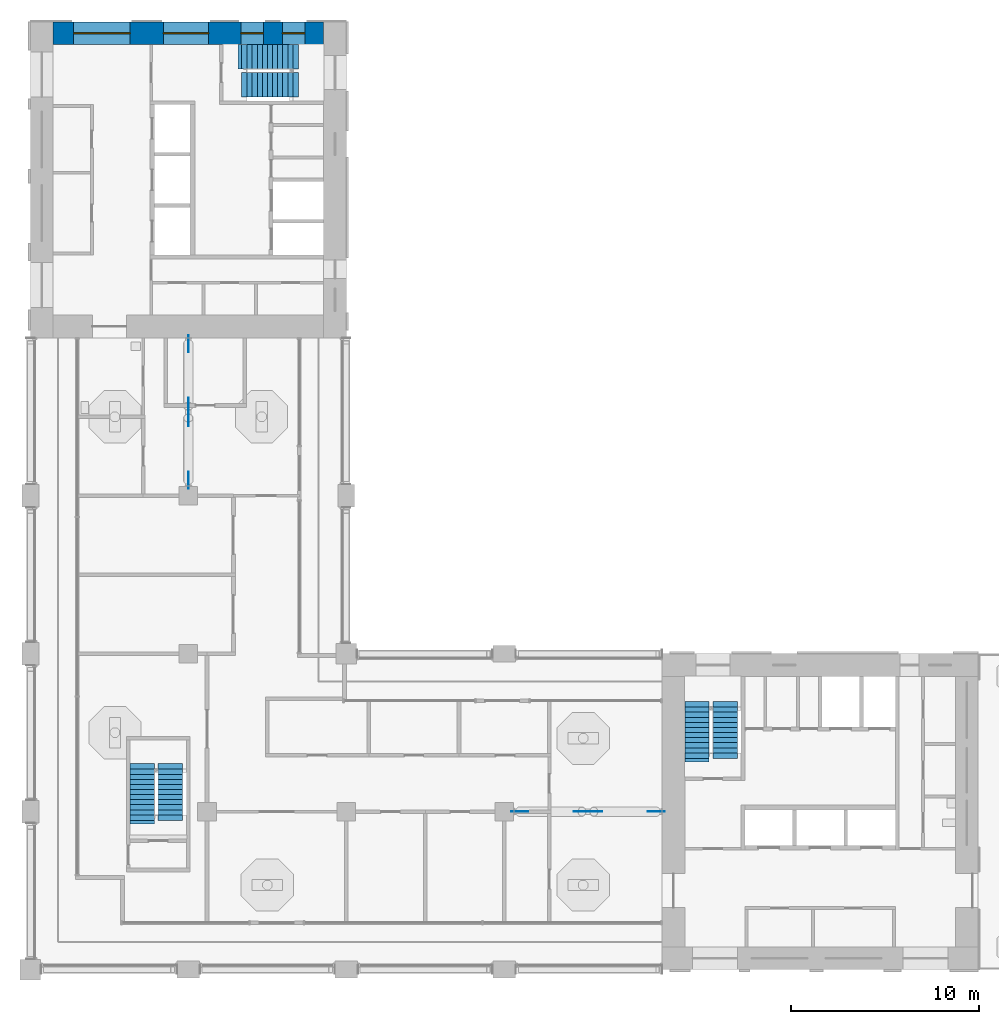
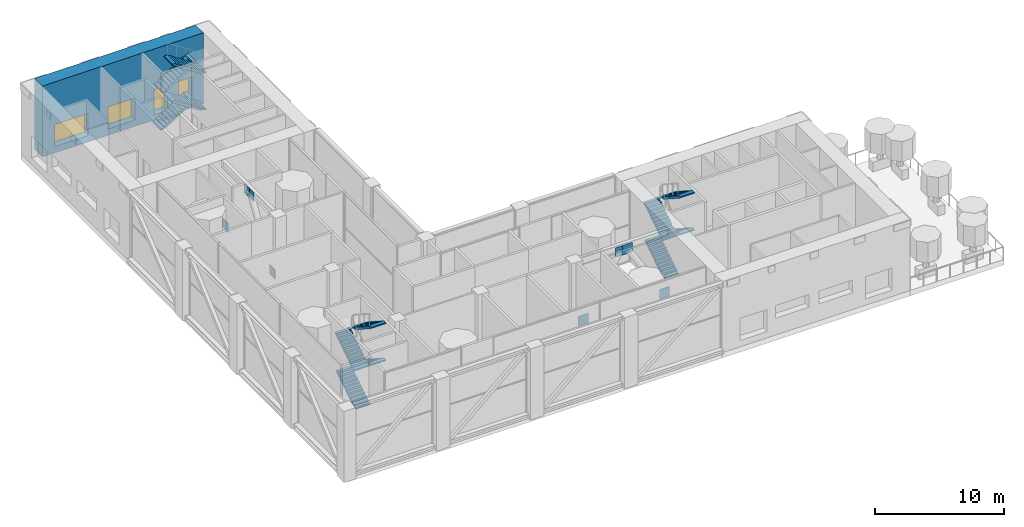
# One storey, part 11 of 20: 12 stair flights, 8 discrete accessories, 4 windows, 1 wall, 4 openings, 3 elements without a shape of their own.
"""IFC4 building model written with IfcOpenShell, lengths in metres."""

from ifc_helpers import new_model, si_unit, direction, frame, frame_2d, origin, origin_2d, place, context, subcontext, project, spatial, polyline, rectangle, outline, extrude, material, layer, layer_set, type_object, element, fill, aggregate, save


model = new_model("IFC4")

# Units and contexts
model_context = context("Model", 3, precision=1e-05, world=origin(), true_north=direction((0.0, 1.0)))
body_context = subcontext(model_context, "Body", "Model", "MODEL_VIEW")
ifc_project = project(units=[si_unit("LENGTHUNIT", "METRE"), si_unit("AREAUNIT", "SQUARE_METRE"), si_unit("VOLUMEUNIT", "CUBIC_METRE"), si_unit("PLANEANGLEUNIT", "RADIAN"), si_unit("MASSUNIT", "GRAM", prefix="KILO")], contexts=[model_context])

# Site, building, storey
site_placement = place(None, origin())
site = spatial("IfcSite", under=ifc_project, at=site_placement, CompositionType="ELEMENT")
building_placement = place(site_placement, origin())
building = spatial("IfcBuilding", under=site, at=building_placement, Name="Vermilion Gate Residences", CompositionType="ELEMENT")
storey_placement = place(building_placement, frame((0.0, 0.0, 207.199951171875)))
storey = spatial("IfcBuildingStorey", under=building, at=storey_placement, Name="L54", CompositionType="ELEMENT", Elevation=207.199951171875)

# Wall, openings, windows
ifc_material_1 = material(Name="Concrete C60 red-oxide pigmented", Category="concrete")
ifc_layer = layer(ifc_material_1, 1.199951171875)
ifc_layer_set = layer_set([ifc_layer], Name="RC CORE WALL 1200 C60 RED OXIDE")
wall_type = type_object("IfcWallType", Name="RC CORE WALL 1200 C60 RED OXIDE", PredefinedType="SHEAR", material=ifc_layer_set)
wall_placement = place(storey_placement, frame((9.60009765625, 58.199951171875, 0.0), z_axis=(0.0, 0.0, 1.0), x_axis=(1.0, 0.0, 0.0)))
wall = element("IfcWall", 1, at=wall_placement, inside=storey, type_object=wall_type, Name="Core wall B54-OUT-FR", PredefinedType="SHEAR", context=body_context, shape_type="SweptSolid", body=[
    extrude(rectangle(XDim=14.39990234375, YDim=1.199951171875, at=frame_2d((7.199951171875, 0.0))), origin(), (0.0, 0.0, 1.0), 6.719970703125),
])
opening_1_placement = place(wall_placement, frame((1.10498046875, 0.0, 0.60009765625)))
opening_1 = element("IfcOpeningElement", 2, at=opening_1_placement, cuts=wall, Name="Opening WKB5409", PredefinedType="OPENING", context=body_context, shape_type="SweptSolid", body=[
    extrude(rectangle(XDim=3.0, YDim=2.10009765625, at=frame_2d((1.5, 1.050048828125))), frame((0.0, 0.60986328125, 0.0), z_axis=(0.0, -1.0, 0.0), x_axis=(1.0, 0.0, 0.0)), (0.0, 0.0, 1.0), 1.219970703125),
])
opening_2_placement = place(wall_placement, frame((5.875, 0.0, 0.60009765625)))
opening_2 = element("IfcOpeningElement", 3, at=opening_2_placement, cuts=wall, Name="Opening WKB5410", PredefinedType="OPENING", context=body_context, shape_type="SweptSolid", body=[
    extrude(rectangle(XDim=2.39990234375, YDim=2.10009765625, at=frame_2d((1.199951171875, 1.050048828125))), frame((0.0, 0.60986328125, 0.0), z_axis=(0.0, -1.0, 0.0), x_axis=(1.0, 0.0, 0.0)), (0.0, 0.0, 1.0), 1.219970703125),
])
opening_3_placement = place(wall_placement, frame((9.993408203125, 0.0, 0.5)))
opening_3 = element("IfcOpeningElement", 4, at=opening_3_placement, cuts=wall, Name="Opening WKB5411", PredefinedType="OPENING", context=body_context, shape_type="SweptSolid", body=[
    extrude(rectangle(XDim=1.199951171875, YDim=2.39990234375, at=frame_2d((0.60009765625, 1.199951171875))), frame((0.0, 0.60986328125, 0.0), z_axis=(0.0, -1.0, 0.0), x_axis=(1.0, 0.0, 0.0)), (0.0, 0.0, 1.0), 1.219970703125),
])
opening_4_placement = place(wall_placement, frame((12.19677734375, 0.0, 0.5)))
opening_4 = element("IfcOpeningElement", 5, at=opening_4_placement, cuts=wall, Name="Opening WKB5412", PredefinedType="OPENING", context=body_context, shape_type="SweptSolid", body=[
    extrude(rectangle(XDim=1.199951171875, YDim=2.39990234375, at=frame_2d((0.60009765625, 1.199951171875))), frame((0.0, 0.60986328125, 0.0), z_axis=(0.0, -1.0, 0.0), x_axis=(1.0, 0.0, 0.0)), (0.0, 0.0, 1.0), 1.219970703125),
])
ifc_material_2 = material(Name="Aluminium and clear glass", Category="aluminium")
window_type_1 = type_object("IfcWindowType", Name="CORE LOBBY WINDOW 2400 X 2100", PartitioningType="SINGLE_PANEL", PredefinedType="WINDOW", material=ifc_material_2)
window_1_placement = place(opening_2_placement, origin())
window_1 = element("IfcWindow", 6, at=window_1_placement, inside=storey, type_object=window_type_1, Name="Core lobby window", OverallHeight=2.10009765625, OverallWidth=2.39990234375, PartitioningType="SINGLE_PANEL", PredefinedType="WINDOW", context=body_context, shape_type="SweptSolid", body=[
    extrude(rectangle(XDim=2.39990234375, YDim=2.10009765625, at=frame_2d((1.199951171875, 1.050048828125))), frame((0.0, 0.030029296875, 0.0), z_axis=(0.0, -1.0, 0.0), x_axis=(1.0, 0.0, 0.0)), (0.0, 0.0, 1.0), 0.06005859375),
])
fill(opening_2, window_1)
ifc_material_3 = material(Name="Aluminium and clear glass", Category="aluminium")
window_type_2 = type_object("IfcWindowType", Name="CORE LOBBY WINDOW 3000 X 2100", PartitioningType="SINGLE_PANEL", PredefinedType="WINDOW", material=ifc_material_3)
window_2_placement = place(opening_1_placement, origin())
window_2 = element("IfcWindow", 7, at=window_2_placement, inside=storey, type_object=window_type_2, Name="Core lobby window", OverallHeight=2.10009765625, OverallWidth=3.0, PartitioningType="SINGLE_PANEL", PredefinedType="WINDOW", context=body_context, shape_type="SweptSolid", body=[
    extrude(rectangle(XDim=3.0, YDim=2.10009765625, at=frame_2d((1.5, 1.050048828125))), frame((0.0, 0.030029296875, 0.0), z_axis=(0.0, -1.0, 0.0), x_axis=(1.0, 0.0, 0.0)), (0.0, 0.0, 1.0), 0.06005859375),
])
fill(opening_1, window_2)
ifc_material_4 = material(Name="Aluminium and clear glass", Category="aluminium")
window_type_3 = type_object("IfcWindowType", Name="CORE STAIR WINDOW 1200 X 2400", PartitioningType="SINGLE_PANEL", PredefinedType="WINDOW", material=ifc_material_4)
window_3_placement = place(opening_3_placement, origin())
window_3 = element("IfcWindow", 8, at=window_3_placement, inside=storey, type_object=window_type_3, Name="Core stair window", OverallHeight=2.39990234375, OverallWidth=1.199951171875, PartitioningType="SINGLE_PANEL", PredefinedType="WINDOW", context=body_context, shape_type="SweptSolid", body=[
    extrude(rectangle(XDim=1.199951171875, YDim=2.39990234375, at=frame_2d((0.60009765625, 1.199951171875))), frame((0.0, 0.030029296875, 0.0), z_axis=(0.0, -1.0, 0.0), x_axis=(1.0, 0.0, 0.0)), (0.0, 0.0, 1.0), 0.06005859375),
])
fill(opening_3, window_3)
window_4_placement = place(opening_4_placement, origin())
window_4 = element("IfcWindow", 9, at=window_4_placement, inside=storey, type_object=window_type_3, Name="Core stair window", OverallHeight=2.39990234375, OverallWidth=1.199951171875, PartitioningType="SINGLE_PANEL", PredefinedType="WINDOW", context=body_context, shape_type="SweptSolid", body=[
    extrude(rectangle(XDim=1.199951171875, YDim=2.39990234375, at=frame_2d((0.60009765625, 1.199951171875))), frame((0.0, 0.030029296875, 0.0), z_axis=(0.0, -1.0, 0.0), x_axis=(1.0, 0.0, 0.0)), (0.0, 0.0, 1.0), 0.06005859375),
])
fill(opening_4, window_4)

# Stair, stair flights
ifc_material_5 = material(Name="Concrete C50", Category="concrete")
stair_type = type_object("IfcStairType", Name="SPECIAL ESCAPE STAIR 1300", PredefinedType="HALF_TURN_STAIR", material=ifc_material_5)
stair_1_placement = place(storey_placement, origin())
stair_1 = element("IfcStair", 10, at=stair_1_placement, inside=storey, type_object=stair_type, Name="Special escape stair STA1-54", PredefinedType="HALF_TURN_STAIR")
ifc_material_6 = material(Name="Concrete C50", Category="concrete")
stair_flight_type = type_object("IfcStairFlightType", Name="STAIR FLIGHT 1300 RC C50", PredefinedType="STRAIGHT", material=ifc_material_6)
stair_flight_1_placement = place(storey_placement, frame((43.85009765625, 19.75, 0.0), z_axis=(0.0, 0.0, 1.0), x_axis=(0.0, 1.0, 0.0)))
stair_flight_1 = element("IfcStairFlight", 11, at=stair_flight_1_placement, type_object=stair_flight_type, Name="STA1-54 flight 1", NumberOfRisers=10, NumberOfTreads=9, PredefinedType="STRAIGHT", RiserHeight=0.175, TreadLength=0.27, context=body_context, shape_type="SweptSolid", body=[
    extrude(outline(polyline([(-0.300048828125, -0.14990234375), (-0.300048828125, -0.030029296875), (0.0, 0.0), (0.0, 0.175048828125), (0.27001953125, 0.175048828125), (0.27001953125, 0.35009765625), (0.5400390625, 0.35009765625), (0.5400390625, 0.52490234375), (0.81005859375, 0.52490234375), (0.81005859375, 0.699951171875), (1.080078125, 0.699951171875), (1.080078125, 0.875), (1.35009765625, 0.875), (1.35009765625, 1.050048828125), (1.6201171875, 1.050048828125), (1.6201171875, 1.22509765625), (1.889892578125, 1.22509765625), (1.889892578125, 1.39990234375), (2.159912109375, 1.39990234375), (2.159912109375, 1.574951171875), (2.429931640625, 1.574951171875), (2.429931640625, 1.75), (2.72998046875, 1.719970703125), (2.72998046875, 1.60009765625), (2.429931640625, 1.396484375), (0.275634765625, 0.0), (-0.300048828125, -0.14990234375)])), frame((0.0, 0.64990234375, 0.0), z_axis=(0.0, -1.0, 0.0), x_axis=(1.0, 0.0, 0.0)), (0.0, 0.0, 1.0), 1.300048828125),
])
stair_flight_2_placement = place(storey_placement, frame((45.35009765625, 22.360107421875, 1.75), z_axis=(0.0, 0.0, 1.0), x_axis=(0.0, -1.0, 0.0)))
stair_flight_2 = element("IfcStairFlight", 12, at=stair_flight_2_placement, type_object=stair_flight_type, Name="STA1-54 flight 2", NumberOfRisers=10, NumberOfTreads=9, PredefinedType="STRAIGHT", RiserHeight=0.175, TreadLength=0.27, context=body_context, shape_type="SweptSolid", body=[
    extrude(outline(polyline([(-0.300048828125, -0.14990234375), (-0.300048828125, -0.030029296875), (0.0, 0.0), (0.0, 0.175048828125), (0.27001953125, 0.175048828125), (0.27001953125, 0.35009765625), (0.5400390625, 0.35009765625), (0.5400390625, 0.52490234375), (0.81005859375, 0.52490234375), (0.81005859375, 0.699951171875), (1.080078125, 0.699951171875), (1.080078125, 0.875), (1.35009765625, 0.875), (1.35009765625, 1.050048828125), (1.6201171875, 1.050048828125), (1.6201171875, 1.22509765625), (1.889892578125, 1.22509765625), (1.889892578125, 1.39990234375), (2.159912109375, 1.39990234375), (2.159912109375, 1.574951171875), (2.429931640625, 1.574951171875), (2.429931640625, 1.75), (2.72998046875, 1.719970703125), (2.72998046875, 1.60009765625), (2.429931640625, 1.396484375), (0.275634765625, 0.0), (-0.300048828125, -0.14990234375)])), frame((0.0, 0.64990234375, 0.0), z_axis=(0.0, -1.0, 0.0), x_axis=(1.0, 0.0, 0.0)), (0.0, 0.0, 1.0), 1.300048828125),
])
stair_flight_3_placement = place(storey_placement, frame((43.85009765625, 19.929931640625, 3.5), z_axis=(0.0, 0.0, 1.0), x_axis=(0.0, 1.0, 0.0)))
stair_flight_3 = element("IfcStairFlight", 13, at=stair_flight_3_placement, type_object=stair_flight_type, Name="STA1-54 flight 3", NumberOfRisers=10, NumberOfTreads=9, PredefinedType="STRAIGHT", RiserHeight=0.175, TreadLength=0.27, context=body_context, shape_type="SweptSolid", body=[
    extrude(outline(polyline([(-0.300048828125, -0.14990234375), (-0.300048828125, -0.030029296875), (0.0, 0.0), (0.0, 0.175048828125), (0.27001953125, 0.175048828125), (0.27001953125, 0.35009765625), (0.5400390625, 0.35009765625), (0.5400390625, 0.52490234375), (0.81005859375, 0.52490234375), (0.81005859375, 0.699951171875), (1.080078125, 0.699951171875), (1.080078125, 0.875), (1.35009765625, 0.875), (1.35009765625, 1.050048828125), (1.6201171875, 1.050048828125), (1.6201171875, 1.22509765625), (1.889892578125, 1.22509765625), (1.889892578125, 1.39990234375), (2.159912109375, 1.39990234375), (2.159912109375, 1.574951171875), (2.429931640625, 1.574951171875), (2.429931640625, 1.75), (2.72998046875, 1.719970703125), (2.72998046875, 1.60009765625), (2.429931640625, 1.396484375), (0.275634765625, 0.0), (-0.300048828125, -0.14990234375)])), frame((0.0, 0.64990234375, 0.0), z_axis=(0.0, -1.0, 0.0), x_axis=(1.0, 0.0, 0.0)), (0.0, 0.0, 1.0), 1.300048828125),
])
stair_flight_4_placement = place(storey_placement, frame((45.35009765625, 22.360107421875, 5.25), z_axis=(0.0, 0.0, 1.0), x_axis=(0.0, -1.0, 0.0)))
stair_flight_4 = element("IfcStairFlight", 14, at=stair_flight_4_placement, type_object=stair_flight_type, Name="STA1-54 flight 4", NumberOfRisers=10, NumberOfTreads=9, PredefinedType="STRAIGHT", RiserHeight=0.175, TreadLength=0.27, context=body_context, shape_type="SweptSolid", body=[
    extrude(outline(polyline([(-0.300048828125, -0.14990234375), (-0.300048828125, -0.030029296875), (0.0, 0.0), (0.0, 0.175048828125), (0.27001953125, 0.175048828125), (0.27001953125, 0.35009765625), (0.5400390625, 0.35009765625), (0.5400390625, 0.52490234375), (0.81005859375, 0.52490234375), (0.81005859375, 0.699951171875), (1.080078125, 0.699951171875), (1.080078125, 0.875), (1.35009765625, 0.875), (1.35009765625, 1.050048828125), (1.6201171875, 1.050048828125), (1.6201171875, 1.22509765625), (1.889892578125, 1.22509765625), (1.889892578125, 1.39990234375), (2.159912109375, 1.39990234375), (2.159912109375, 1.574951171875), (2.429931640625, 1.574951171875), (2.429931640625, 1.75), (2.72998046875, 1.719970703125), (2.72998046875, 1.60009765625), (2.429931640625, 1.396484375), (0.275634765625, 0.0), (-0.300048828125, -0.14990234375)])), frame((0.0, 0.64990234375, 0.0), z_axis=(0.0, -1.0, 0.0), x_axis=(1.0, 0.0, 0.0)), (0.0, 0.0, 1.0), 1.300048828125),
])
aggregate(stair_1, [stair_flight_1, stair_flight_2, stair_flight_3, stair_flight_4])

stair_2_placement = place(storey_placement, origin())
stair_2 = element("IfcStair", 15, at=stair_2_placement, inside=storey, type_object=stair_type, Name="Special escape stair STB1-54", PredefinedType="HALF_TURN_STAIR")
stair_flight_5_placement = place(storey_placement, frame((19.75, 56.949951171875, 0.0), z_axis=(0.0, 0.0, 1.0), x_axis=(1.0, 0.0, 0.0)))
stair_flight_5 = element("IfcStairFlight", 16, at=stair_flight_5_placement, type_object=stair_flight_type, Name="STB1-54 flight 1", NumberOfRisers=10, NumberOfTreads=9, PredefinedType="STRAIGHT", RiserHeight=0.175, TreadLength=0.27, context=body_context, shape_type="SweptSolid", body=[
    extrude(outline(polyline([(-0.300048828125, -0.14990234375), (-0.300048828125, -0.030029296875), (0.0, 0.0), (0.0, 0.175048828125), (0.27001953125, 0.175048828125), (0.27001953125, 0.35009765625), (0.5400390625, 0.35009765625), (0.5400390625, 0.52490234375), (0.81005859375, 0.52490234375), (0.81005859375, 0.699951171875), (1.080078125, 0.699951171875), (1.080078125, 0.875), (1.35009765625, 0.875), (1.35009765625, 1.050048828125), (1.6201171875, 1.050048828125), (1.6201171875, 1.22509765625), (1.889892578125, 1.22509765625), (1.889892578125, 1.39990234375), (2.159912109375, 1.39990234375), (2.159912109375, 1.574951171875), (2.429931640625, 1.574951171875), (2.429931640625, 1.75), (2.72998046875, 1.719970703125), (2.72998046875, 1.60009765625), (2.429931640625, 1.396484375), (0.275634765625, 0.0), (-0.300048828125, -0.14990234375)])), frame((0.0, 0.64990234375, 0.0), z_axis=(0.0, -1.0, 0.0), x_axis=(1.0, 0.0, 0.0)), (0.0, 0.0, 1.0), 1.300048828125),
])
stair_flight_6_placement = place(storey_placement, frame((22.360107421875, 55.449951171875, 1.75), z_axis=(0.0, 0.0, 1.0), x_axis=(-1.0, 0.0, 0.0)))
stair_flight_6 = element("IfcStairFlight", 17, at=stair_flight_6_placement, type_object=stair_flight_type, Name="STB1-54 flight 2", NumberOfRisers=10, NumberOfTreads=9, PredefinedType="STRAIGHT", RiserHeight=0.175, TreadLength=0.27, context=body_context, shape_type="SweptSolid", body=[
    extrude(outline(polyline([(-0.300048828125, -0.14990234375), (-0.300048828125, -0.030029296875), (0.0, 0.0), (0.0, 0.175048828125), (0.27001953125, 0.175048828125), (0.27001953125, 0.35009765625), (0.5400390625, 0.35009765625), (0.5400390625, 0.52490234375), (0.81005859375, 0.52490234375), (0.81005859375, 0.699951171875), (1.080078125, 0.699951171875), (1.080078125, 0.875), (1.35009765625, 0.875), (1.35009765625, 1.050048828125), (1.6201171875, 1.050048828125), (1.6201171875, 1.22509765625), (1.889892578125, 1.22509765625), (1.889892578125, 1.39990234375), (2.159912109375, 1.39990234375), (2.159912109375, 1.574951171875), (2.429931640625, 1.574951171875), (2.429931640625, 1.75), (2.72998046875, 1.719970703125), (2.72998046875, 1.60009765625), (2.429931640625, 1.396484375), (0.275634765625, 0.0), (-0.300048828125, -0.14990234375)])), frame((0.0, 0.64990234375, 0.0), z_axis=(0.0, -1.0, 0.0), x_axis=(1.0, 0.0, 0.0)), (0.0, 0.0, 1.0), 1.300048828125),
])
stair_flight_7_placement = place(storey_placement, frame((19.929931640625, 56.949951171875, 3.5), z_axis=(0.0, 0.0, 1.0), x_axis=(1.0, 0.0, 0.0)))
stair_flight_7 = element("IfcStairFlight", 18, at=stair_flight_7_placement, type_object=stair_flight_type, Name="STB1-54 flight 3", NumberOfRisers=10, NumberOfTreads=9, PredefinedType="STRAIGHT", RiserHeight=0.175, TreadLength=0.27, context=body_context, shape_type="SweptSolid", body=[
    extrude(outline(polyline([(-0.300048828125, -0.14990234375), (-0.300048828125, -0.030029296875), (0.0, 0.0), (0.0, 0.175048828125), (0.27001953125, 0.175048828125), (0.27001953125, 0.35009765625), (0.5400390625, 0.35009765625), (0.5400390625, 0.52490234375), (0.81005859375, 0.52490234375), (0.81005859375, 0.699951171875), (1.080078125, 0.699951171875), (1.080078125, 0.875), (1.35009765625, 0.875), (1.35009765625, 1.050048828125), (1.6201171875, 1.050048828125), (1.6201171875, 1.22509765625), (1.889892578125, 1.22509765625), (1.889892578125, 1.39990234375), (2.159912109375, 1.39990234375), (2.159912109375, 1.574951171875), (2.429931640625, 1.574951171875), (2.429931640625, 1.75), (2.72998046875, 1.719970703125), (2.72998046875, 1.60009765625), (2.429931640625, 1.396484375), (0.275634765625, 0.0), (-0.300048828125, -0.14990234375)])), frame((0.0, 0.64990234375, 0.0), z_axis=(0.0, -1.0, 0.0), x_axis=(1.0, 0.0, 0.0)), (0.0, 0.0, 1.0), 1.300048828125),
])
stair_flight_8_placement = place(storey_placement, frame((22.360107421875, 55.449951171875, 5.25), z_axis=(0.0, 0.0, 1.0), x_axis=(-1.0, 0.0, 0.0)))
stair_flight_8 = element("IfcStairFlight", 19, at=stair_flight_8_placement, type_object=stair_flight_type, Name="STB1-54 flight 4", NumberOfRisers=10, NumberOfTreads=9, PredefinedType="STRAIGHT", RiserHeight=0.175, TreadLength=0.27, context=body_context, shape_type="SweptSolid", body=[
    extrude(outline(polyline([(-0.300048828125, -0.14990234375), (-0.300048828125, -0.030029296875), (0.0, 0.0), (0.0, 0.175048828125), (0.27001953125, 0.175048828125), (0.27001953125, 0.35009765625), (0.5400390625, 0.35009765625), (0.5400390625, 0.52490234375), (0.81005859375, 0.52490234375), (0.81005859375, 0.699951171875), (1.080078125, 0.699951171875), (1.080078125, 0.875), (1.35009765625, 0.875), (1.35009765625, 1.050048828125), (1.6201171875, 1.050048828125), (1.6201171875, 1.22509765625), (1.889892578125, 1.22509765625), (1.889892578125, 1.39990234375), (2.159912109375, 1.39990234375), (2.159912109375, 1.574951171875), (2.429931640625, 1.574951171875), (2.429931640625, 1.75), (2.72998046875, 1.719970703125), (2.72998046875, 1.60009765625), (2.429931640625, 1.396484375), (0.275634765625, 0.0), (-0.300048828125, -0.14990234375)])), frame((0.0, 0.64990234375, 0.0), z_axis=(0.0, -1.0, 0.0), x_axis=(1.0, 0.0, 0.0)), (0.0, 0.0, 1.0), 1.300048828125),
])
aggregate(stair_2, [stair_flight_5, stair_flight_6, stair_flight_7, stair_flight_8])

stair_3_placement = place(storey_placement, origin())
stair_3 = element("IfcStair", 20, at=stair_3_placement, inside=storey, type_object=stair_type, Name="Special escape stair STC1-54", PredefinedType="HALF_TURN_STAIR")
stair_flight_9_placement = place(storey_placement, frame((14.35009765625, 16.449951171875, 0.0), z_axis=(0.0, 0.0, 1.0), x_axis=(0.0, 1.0, 0.0)))
stair_flight_9 = element("IfcStairFlight", 21, at=stair_flight_9_placement, type_object=stair_flight_type, Name="STC1-54 flight 1", NumberOfRisers=10, NumberOfTreads=9, PredefinedType="STRAIGHT", RiserHeight=0.175, TreadLength=0.27, context=body_context, shape_type="SweptSolid", body=[
    extrude(outline(polyline([(-0.300048828125, -0.14990234375), (-0.300048828125, -0.030029296875), (0.0, 0.0), (0.0, 0.175048828125), (0.27001953125, 0.175048828125), (0.27001953125, 0.35009765625), (0.5400390625, 0.35009765625), (0.5400390625, 0.52490234375), (0.81005859375, 0.52490234375), (0.81005859375, 0.699951171875), (1.080078125, 0.699951171875), (1.080078125, 0.875), (1.35009765625, 0.875), (1.35009765625, 1.050048828125), (1.6201171875, 1.050048828125), (1.6201171875, 1.22509765625), (1.889892578125, 1.22509765625), (1.889892578125, 1.39990234375), (2.159912109375, 1.39990234375), (2.159912109375, 1.574951171875), (2.429931640625, 1.574951171875), (2.429931640625, 1.75), (2.72998046875, 1.719970703125), (2.72998046875, 1.60009765625), (2.429931640625, 1.396484375), (0.275634765625, 0.0), (-0.300048828125, -0.14990234375)])), frame((0.0, 0.64990234375, 0.0), z_axis=(0.0, -1.0, 0.0), x_axis=(1.0, 0.0, 0.0)), (0.0, 0.0, 1.0), 1.300048828125),
])
stair_flight_10_placement = place(storey_placement, frame((15.85009765625, 19.06005859375, 1.75), z_axis=(0.0, 0.0, 1.0), x_axis=(0.0, -1.0, 0.0)))
stair_flight_10 = element("IfcStairFlight", 22, at=stair_flight_10_placement, type_object=stair_flight_type, Name="STC1-54 flight 2", NumberOfRisers=10, NumberOfTreads=9, PredefinedType="STRAIGHT", RiserHeight=0.175, TreadLength=0.27, context=body_context, shape_type="SweptSolid", body=[
    extrude(outline(polyline([(-0.300048828125, -0.14990234375), (-0.300048828125, -0.030029296875), (0.0, 0.0), (0.0, 0.175048828125), (0.27001953125, 0.175048828125), (0.27001953125, 0.35009765625), (0.5400390625, 0.35009765625), (0.5400390625, 0.52490234375), (0.81005859375, 0.52490234375), (0.81005859375, 0.699951171875), (1.080078125, 0.699951171875), (1.080078125, 0.875), (1.35009765625, 0.875), (1.35009765625, 1.050048828125), (1.6201171875, 1.050048828125), (1.6201171875, 1.22509765625), (1.889892578125, 1.22509765625), (1.889892578125, 1.39990234375), (2.159912109375, 1.39990234375), (2.159912109375, 1.574951171875), (2.429931640625, 1.574951171875), (2.429931640625, 1.75), (2.72998046875, 1.719970703125), (2.72998046875, 1.60009765625), (2.429931640625, 1.396484375), (0.275634765625, 0.0), (-0.300048828125, -0.14990234375)])), frame((0.0, 0.64990234375, 0.0), z_axis=(0.0, -1.0, 0.0), x_axis=(1.0, 0.0, 0.0)), (0.0, 0.0, 1.0), 1.300048828125),
])
stair_flight_11_placement = place(storey_placement, frame((14.35009765625, 16.6298828125, 3.5), z_axis=(0.0, 0.0, 1.0), x_axis=(0.0, 1.0, 0.0)))
stair_flight_11 = element("IfcStairFlight", 23, at=stair_flight_11_placement, type_object=stair_flight_type, Name="STC1-54 flight 3", NumberOfRisers=10, NumberOfTreads=9, PredefinedType="STRAIGHT", RiserHeight=0.175, TreadLength=0.27, context=body_context, shape_type="SweptSolid", body=[
    extrude(outline(polyline([(-0.300048828125, -0.14990234375), (-0.300048828125, -0.030029296875), (0.0, 0.0), (0.0, 0.175048828125), (0.27001953125, 0.175048828125), (0.27001953125, 0.35009765625), (0.5400390625, 0.35009765625), (0.5400390625, 0.52490234375), (0.81005859375, 0.52490234375), (0.81005859375, 0.699951171875), (1.080078125, 0.699951171875), (1.080078125, 0.875), (1.35009765625, 0.875), (1.35009765625, 1.050048828125), (1.6201171875, 1.050048828125), (1.6201171875, 1.22509765625), (1.889892578125, 1.22509765625), (1.889892578125, 1.39990234375), (2.159912109375, 1.39990234375), (2.159912109375, 1.574951171875), (2.429931640625, 1.574951171875), (2.429931640625, 1.75), (2.72998046875, 1.719970703125), (2.72998046875, 1.60009765625), (2.429931640625, 1.396484375), (0.275634765625, 0.0), (-0.300048828125, -0.14990234375)])), frame((0.0, 0.64990234375, 0.0), z_axis=(0.0, -1.0, 0.0), x_axis=(1.0, 0.0, 0.0)), (0.0, 0.0, 1.0), 1.300048828125),
])
stair_flight_12_placement = place(storey_placement, frame((15.85009765625, 19.06005859375, 5.25), z_axis=(0.0, 0.0, 1.0), x_axis=(0.0, -1.0, 0.0)))
stair_flight_12 = element("IfcStairFlight", 24, at=stair_flight_12_placement, type_object=stair_flight_type, Name="STC1-54 flight 4", NumberOfRisers=10, NumberOfTreads=9, PredefinedType="STRAIGHT", RiserHeight=0.175, TreadLength=0.27, context=body_context, shape_type="SweptSolid", body=[
    extrude(outline(polyline([(-0.300048828125, -0.14990234375), (-0.300048828125, -0.030029296875), (0.0, 0.0), (0.0, 0.175048828125), (0.27001953125, 0.175048828125), (0.27001953125, 0.35009765625), (0.5400390625, 0.35009765625), (0.5400390625, 0.52490234375), (0.81005859375, 0.52490234375), (0.81005859375, 0.699951171875), (1.080078125, 0.699951171875), (1.080078125, 0.875), (1.35009765625, 0.875), (1.35009765625, 1.050048828125), (1.6201171875, 1.050048828125), (1.6201171875, 1.22509765625), (1.889892578125, 1.22509765625), (1.889892578125, 1.39990234375), (2.159912109375, 1.39990234375), (2.159912109375, 1.574951171875), (2.429931640625, 1.574951171875), (2.429931640625, 1.75), (2.72998046875, 1.719970703125), (2.72998046875, 1.60009765625), (2.429931640625, 1.396484375), (0.275634765625, 0.0), (-0.300048828125, -0.14990234375)])), frame((0.0, 0.64990234375, 0.0), z_axis=(0.0, -1.0, 0.0), x_axis=(1.0, 0.0, 0.0)), (0.0, 0.0, 1.0), 1.300048828125),
])
aggregate(stair_3, [stair_flight_9, stair_flight_10, stair_flight_11, stair_flight_12])

# Discrete accessories
for number, where, z_axis, x_axis, name in (
    (25, (41.68359375, 16.800048828125, 0.25), (0.0, 0.0, 1.0), (1.0, 0.0, 0.0), "Gusset plate O54OUT8D1 1"),
    (26, (38.366455078125, 16.800048828125, 5.570068359375), (0.0, 0.0, 1.0), (1.0, 0.0, 0.0), "Gusset plate O54OUT8D1 2"),
    (27, (37.733642578125, 16.800048828125, 5.570068359375), (0.0, 0.0, 1.0), (1.0, 0.0, 0.0), "Gusset plate O54OUT8D2 1"),
    (28, (34.41650390625, 16.800048828125, 0.25), (0.0, 0.0, 1.0), (1.0, 0.0, 0.0), "Gusset plate O54OUT8D2 2"),
):
    element("IfcDiscreteAccessory", number, at=place(storey_placement, frame(where, z_axis=z_axis, x_axis=x_axis)), inside=storey, Name=name, ObjectType="GUSSET PLATE", PredefinedType="USERDEFINED", context=body_context, shape_type="SweptSolid", body=[
        extrude(rectangle(XDim=0.89990234375, YDim=0.030029296875, at=origin_2d()), origin(), (0.0, 0.0, 1.0), 0.89990234375),
    ])
for number, where, z_axis, x_axis, name in (
    (29, (16.800048828125, 41.68359375, 0.25), (0.0, 0.0, 1.0), (1.0, 0.0, 0.0), "Gusset plate O54OUT9D1 1"),
    (30, (16.800048828125, 38.366455078125, 5.570068359375), (0.0, 0.0, 1.0), (1.0, 0.0, 0.0), "Gusset plate O54OUT9D1 2"),
    (31, (16.800048828125, 37.733642578125, 5.570068359375), (0.0, 0.0, 1.0), (1.0, 0.0, 0.0), "Gusset plate O54OUT9D2 1"),
    (32, (16.800048828125, 34.41650390625, 0.25), (0.0, 0.0, 1.0), (1.0, 0.0, 0.0), "Gusset plate O54OUT9D2 2"),
):
    element("IfcDiscreteAccessory", number, at=place(storey_placement, frame(where, z_axis=z_axis, x_axis=x_axis)), inside=storey, Name=name, ObjectType="GUSSET PLATE", PredefinedType="USERDEFINED", context=body_context, shape_type="SweptSolid", body=[
        extrude(rectangle(XDim=0.030029296875, YDim=0.89990234375, at=origin_2d()), origin(), (0.0, 0.0, 1.0), 0.89990234375),
    ])

save(model, "model.ifc")
